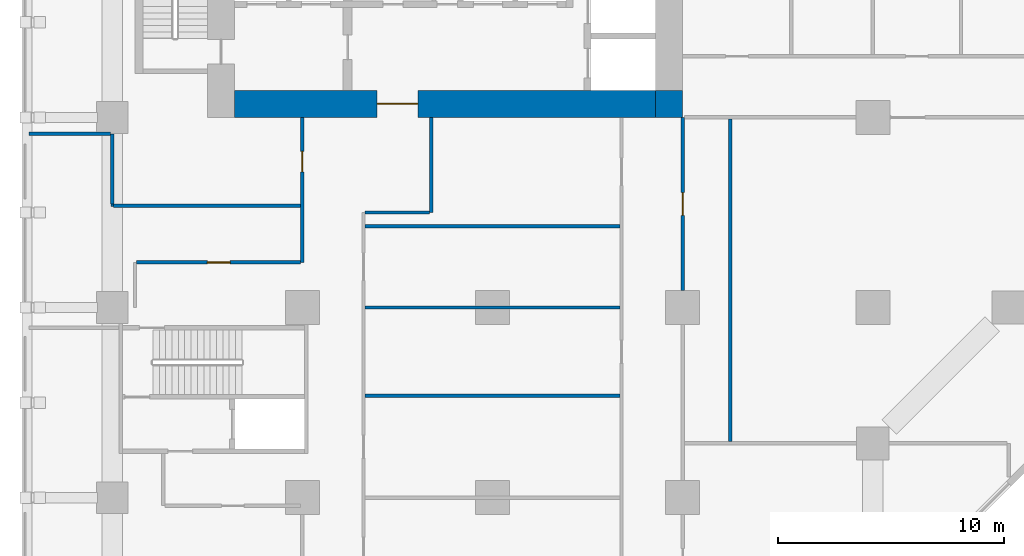
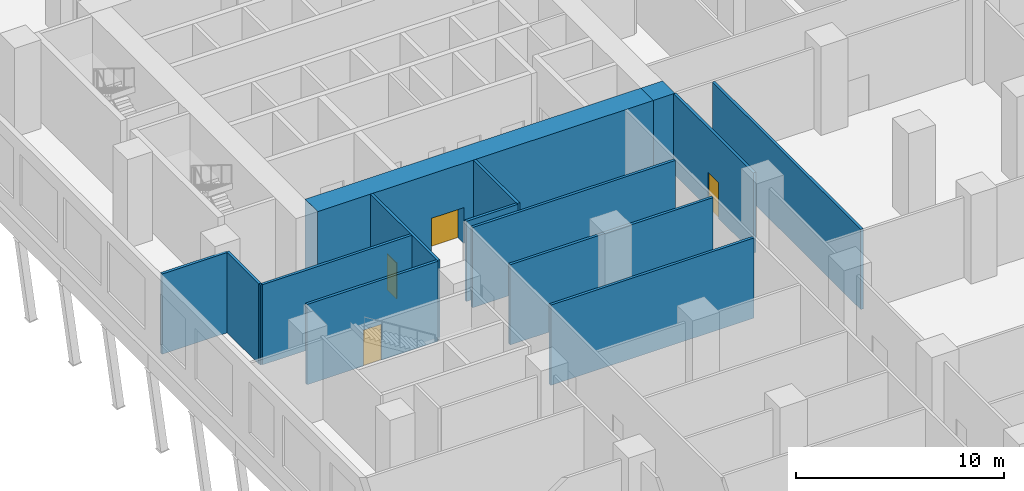
# One storey, part 8 of 25: 15 walls, 4 doors, 4 openings.
"""IFC4 building model written with IfcOpenShell, lengths in metres."""

import ifcopenshell
import ifcopenshell.guid

model = None  # the IFC model being written
_history = None  # IfcOwnerHistory: only IFC2X3 demands one
_inside = {}  # id of a spatial element -> (the spatial element, [elements in it])
_under = {}  # id of a project, library or spatial element -> (it, [spatial elements below it])
_declared = {}  # id of a project -> (the project, [libraries it declares])
_typed = {}  # id of a type object -> (the type object, [elements of that type])
_made_of = {}  # id of a material, layer set ... -> (it, [elements and type objects made of it])


def new_model(schema):
    """Start an empty IFC model of exactly this schema.

    Asked for "IFC4X3", IfcOpenShell would pick the latest addendum, in which some entities
    have other attributes; the version numbers below select the first issue.
    IFC2X3 requires an IfcOwnerHistory on every rooted entity: one is made here for all.
    """
    global model, _history
    if schema == "IFC4X3":
        model = ifcopenshell.file(schema_version=(4, 3, 0, 0))
    else:
        model = ifcopenshell.file(schema=schema)
    _inside.clear()
    _under.clear()
    _declared.clear()
    _typed.clear()
    _made_of.clear()
    _history = None
    if model.schema == "IFC2X3":
        org = make("IfcOrganization", Name="unknown")
        user = make(
            "IfcPersonAndOrganization",
            ThePerson=make("IfcPerson", FamilyName="unknown"),
            TheOrganization=org,
        )
        app = make(
            "IfcApplication",
            ApplicationDeveloper=org,
            Version="unknown",
            ApplicationFullName="unknown",
            ApplicationIdentifier="unknown",
        )
        _history = make(
            "IfcOwnerHistory",
            OwningUser=user,
            OwningApplication=app,
            ChangeAction="ADDED",
            CreationDate=0,
        )
    return model


def make(cls, **values):
    """One entity of the class cls with the attributes given. An attribute that is None is left unset."""
    return model.create_entity(
        cls, **{name: value for name, value in values.items() if value is not None}
    )


def rooted(cls, **values):
    """An entity with a GlobalId (a new one), such as an element, a storey or a relation."""
    return make(cls, GlobalId=ifcopenshell.guid.new(), OwnerHistory=_history, **values)


def si_unit(unit_type, name, prefix=None):
    """IfcSIUnit, for example si_unit("LENGTHUNIT", "METRE", prefix="MILLI")."""
    return make("IfcSIUnit", UnitType=unit_type, Prefix=prefix, Name=name)


def assignment(units):
    """IfcUnitAssignment: the units of a project."""
    return None if units is None else make("IfcUnitAssignment", Units=units)


def point(xyz):
    """IfcCartesianPoint."""
    return None if xyz is None else make("IfcCartesianPoint", Coordinates=xyz)


def direction(xyz):
    """IfcDirection."""
    return None if xyz is None else make("IfcDirection", DirectionRatios=xyz)


def frame(location, z_axis=None, x_axis=None):
    """IfcAxis2Placement3D, a coordinate frame: its origin and axes. An axis left out is left unset."""
    return make(
        "IfcAxis2Placement3D",
        Location=point(location),
        Axis=direction(z_axis),
        RefDirection=direction(x_axis),
    )


def frame_2d(location, x_axis=None):
    """IfcAxis2Placement2D, a coordinate frame in the plane: its origin and x axis."""
    return make(
        "IfcAxis2Placement2D", Location=point(location), RefDirection=direction(x_axis)
    )


def origin():
    """The frame at (0, 0, 0) with its axes left unset."""
    return frame((0.0, 0.0, 0.0))


def place(relative_to, where):
    """IfcLocalPlacement: puts the frame where relative to a parent placement (None: the world)."""
    return make(
        "IfcLocalPlacement", PlacementRelTo=relative_to, RelativePlacement=where
    )


def context(
    kind, dimensions, precision=None, world=None, true_north=None, identifier=None
):
    """IfcGeometricRepresentationContext, for example the 3D "Model" context."""
    return make(
        "IfcGeometricRepresentationContext",
        ContextIdentifier=identifier,
        ContextType=kind,
        CoordinateSpaceDimension=dimensions,
        Precision=precision,
        WorldCoordinateSystem=world,
        TrueNorth=true_north,
    )


def subcontext(parent, identifier, kind, view, scale=None):
    """IfcGeometricRepresentationSubContext, for example "Body" below "Model"."""
    return make(
        "IfcGeometricRepresentationSubContext",
        ContextIdentifier=identifier,
        ContextType=kind,
        ParentContext=parent,
        TargetScale=scale,
        TargetView=view,
    )


def project(units=None, contexts=None):
    """IfcProject with its units and contexts."""
    return rooted(
        "IfcProject",
        Name="project",
        RepresentationContexts=contexts,
        UnitsInContext=assignment(units),
    )


def spatial(cls, under=None, at=None, **own):
    """A site, building, storey or space (cls), placed at a placement, below another one or the project."""
    s = rooted(cls, ObjectPlacement=at, **own)
    if under is not None:
        _under.setdefault(under.id(), (under, []))[1].append(s)
    return s


def profile(cls, at=None, kind="AREA", **sizes):
    """A parametric profile (cls). Its sizes go by their IFC names, for example OverallWidth=200.0."""
    return make(cls, ProfileType=kind, Position=at, **sizes)


def rectangle(**sizes):
    """IfcRectangleProfileDef."""
    return profile("IfcRectangleProfileDef", **sizes)


def extrude(swept, where, along, depth):
    """IfcExtrudedAreaSolid: the profile swept, set in the frame where, extruded along a direction by depth."""
    return make(
        "IfcExtrudedAreaSolid",
        SweptArea=swept,
        Position=where,
        ExtrudedDirection=direction(along),
        Depth=depth,
    )


def shape(context_of_items, identifier, shape_type, items):
    """IfcShapeRepresentation: the items that make up one representation, for example the "Body"."""
    return make(
        "IfcShapeRepresentation",
        ContextOfItems=context_of_items,
        RepresentationIdentifier=identifier,
        RepresentationType=shape_type,
        Items=items,
    )


def material(Name=None, Category=None):
    """IfcMaterial."""
    return make("IfcMaterial", Name=Name, Category=Category)


def layer(
    of_material, thickness, ventilated=None, Name=None, Category=None, Priority=None
):
    """IfcMaterialLayer: one layer of a wall or slab, of a material (None: an air gap)."""
    return make(
        "IfcMaterialLayer",
        Material=of_material,
        LayerThickness=thickness,
        IsVentilated=ventilated,
        Name=Name,
        Category=Category,
        Priority=Priority,
    )


def layer_set(layers, Name=None):
    """IfcMaterialLayerSet."""
    return make("IfcMaterialLayerSet", MaterialLayers=layers, LayerSetName=Name)


def made_of(thing, what):
    """Note that an element or type object is made of a material, layer set ...; save() writes the relation."""
    if what is not None:
        _made_of.setdefault(what.id(), (what, []))[1].append(thing)
    return thing


def type_object(cls, material=None, **own):
    """A type object (cls), such as IfcWallType, which elements share."""
    return made_of(rooted(cls, **own), material)


def element(
    cls,
    number,
    at=None,
    inside=None,
    cuts=None,
    type_object=None,
    material=None,
    context=None,
    identifier="Body",
    shape_type=None,
    held_by="IfcProductDefinitionShape",
    body=None,
    shapes=None,
    **own,
):
    """One element of the class cls, such as IfcWall. Its Tag is "e" and its number.

    at: its placement. inside: the storey or other place that contains it. cuts: it is an
    opening in that element (IfcRelVoidsElement). A single representation is given by context,
    identifier, shape_type and body (its items); several are given by shapes. held_by: the class
    of the entity that holds the representations. save() writes the other relations.
    """
    e = rooted(cls, Tag="e%d" % number, ObjectPlacement=at, **own)
    if body is not None:
        shapes = [shape(context, identifier, shape_type, body)]
    if shapes is not None:
        e.Representation = make(held_by, Representations=shapes)
    if inside is not None:
        _inside.setdefault(inside.id(), (inside, []))[1].append(e)
    if cuts is not None:
        rooted(
            "IfcRelVoidsElement", RelatingBuildingElement=cuts, RelatedOpeningElement=e
        )
    if type_object is not None:
        _typed.setdefault(type_object.id(), (type_object, []))[1].append(e)
    return made_of(e, material)


def fill(opening, filler):
    """IfcRelFillsElement: the door or window that sits in an opening."""
    return rooted(
        "IfcRelFillsElement",
        RelatingOpeningElement=opening,
        RelatedBuildingElement=filler,
    )


def aggregate(whole, parts):
    """IfcRelAggregates: a whole, such as a stair, and the parts it consists of."""
    return rooted("IfcRelAggregates", RelatingObject=whole, RelatedObjects=parts)


def save(model, path):
    """Write the relations noted so far, then the file.

    IfcRelAggregates (storeys below a building ...), IfcRelContainedInSpatialStructure (elements
    in a storey), IfcRelDefinesByType, IfcRelAssociatesMaterial and IfcRelDeclares: one each for
    every whole, place, type object, material and project.
    """
    for whole, parts in _under.values():
        aggregate(whole, parts)
    for where, things in _inside.values():
        rooted(
            "IfcRelContainedInSpatialStructure",
            RelatedElements=things,
            RelatingStructure=where,
        )
    for kind, things in _typed.values():
        rooted("IfcRelDefinesByType", RelatedObjects=things, RelatingType=kind)
    for what, things in _made_of.values():
        rooted("IfcRelAssociatesMaterial", RelatedObjects=things, RelatingMaterial=what)
    for by, libraries in _declared.values():
        rooted("IfcRelDeclares", RelatingContext=by, RelatedDefinitions=libraries)
    model.write(path)


model = new_model("IFC4")

# Units and contexts
model_context = context("Model", 3, precision=1e-05, world=origin(), true_north=direction((0.0, 1.0)))
body_context = subcontext(model_context, "Body", "Model", "MODEL_VIEW")
ifc_project = project(units=[si_unit("LENGTHUNIT", "METRE"), si_unit("AREAUNIT", "SQUARE_METRE"), si_unit("VOLUMEUNIT", "CUBIC_METRE"), si_unit("PLANEANGLEUNIT", "RADIAN"), si_unit("MASSUNIT", "GRAM", prefix="KILO")], contexts=[model_context])

# Site, building, storey
site_placement = place(None, origin())
site = spatial("IfcSite", under=ifc_project, at=site_placement, CompositionType="ELEMENT")
building_placement = place(site_placement, origin())
building = spatial("IfcBuilding", under=site, at=building_placement, Name="Kawkab Arch Medical Tower", CompositionType="ELEMENT")
storey_placement = place(building_placement, frame((0.0, 0.0, 29.0)))
storey = spatial("IfcBuildingStorey", under=building, at=storey_placement, Name="L06", CompositionType="ELEMENT", Elevation=29.0)

# Wall, opening, door
ifc_material_1 = material(Name="Concrete C60/75", Category="concrete")
ifc_layer_1 = layer(ifc_material_1, 1.199951171875)
ifc_layer_set_1 = layer_set([ifc_layer_1], Name="Concrete C60/75")
wall_type_1 = type_object("IfcWallType", Name="Core ring wall 1200 C60/75", PredefinedType="SHEAR", material=ifc_layer_set_1)
wall_1_placement = place(storey_placement, frame((5.39990234375, -24.60009765625, 0.0), z_axis=(0.0, 0.0, 1.0), x_axis=(1.0, 0.0, 0.0)))
wall_1 = element("IfcWall", 1, at=wall_1_placement, inside=storey, type_object=wall_type_1, Name="L06 core wall", PredefinedType="SHEAR", context=body_context, shape_type="SweptSolid", body=[
    extrude(rectangle(XDim=18.60009765625, YDim=1.199951171875, at=frame_2d((9.300048828125, 0.0))), origin(), (0.0, 0.0, 1.0), 4.699951171875),
])
opening_1_placement = place(wall_1_placement, frame((6.300048828125, 0.0, 0.0)))
opening_1 = element("IfcOpeningElement", 2, at=opening_1_placement, cuts=wall_1, Name="Opening PD", PredefinedType="OPENING", context=body_context, shape_type="SweptSolid", body=[
    extrude(rectangle(XDim=1.800048828125, YDim=2.10009765625, at=frame_2d((0.89990234375, 1.050048828125))), frame((0.0, 0.60986328125, 0.0), z_axis=(0.0, -1.0, 0.0), x_axis=(1.0, 0.0, 0.0)), (0.0, 0.0, 1.0), 1.219970703125),
])
ifc_material_2 = material(Name="Hollow metal fire door leaf")
door_type_1 = type_object("IfcDoorType", Name="Core entrance doors 1800", OperationType="DOUBLE_DOOR_SINGLE_SWING", PredefinedType="DOOR", material=ifc_material_2)
door_1_placement = place(opening_1_placement, origin())
door_1 = element("IfcDoor", 3, at=door_1_placement, inside=storey, type_object=door_type_1, Name="L06 South entrance doors", OperationType="DOUBLE_DOOR_SINGLE_SWING", OverallHeight=2.10009765625, OverallWidth=1.800048828125, PredefinedType="DOOR", context=body_context, shape_type="SweptSolid", body=[
    extrude(rectangle(XDim=1.800048828125, YDim=2.10009765625, at=frame_2d((0.89990234375, 1.050048828125))), frame((0.0, 0.02490234375, 0.0), z_axis=(0.0, -1.0, 0.0), x_axis=(1.0, 0.0, 0.0)), (0.0, 0.0, 1.0), 0.050048828125),
])
fill(opening_1, door_1)

# Walls
wall_2_placement = place(storey_placement, frame((24.60009765625, -25.199951171875, 0.0), z_axis=(0.0, 0.0, 1.0), x_axis=(0.0, 1.0, 0.0)))
element("IfcWall", 4, at=wall_2_placement, inside=storey, type_object=wall_type_1, Name="L06 core wall", PredefinedType="SHEAR", context=body_context, shape_type="SweptSolid", body=[
    extrude(rectangle(XDim=1.199951171875, YDim=1.199951171875, at=frame_2d((0.60009765625, 0.0))), origin(), (0.0, 0.0, 1.0), 4.699951171875),
])
ifc_material_3 = material(Name="Gypsum board partition on steel studs", Category="steel")
ifc_layer_2 = layer(ifc_material_3, 0.10009765625)
ifc_layer_set_2 = layer_set([ifc_layer_2], Name="Gypsum board partition on steel studs")
wall_type_2 = type_object("IfcWallType", Name="Partition 100", PredefinedType="PARTITIONING", material=ifc_layer_set_2)
wall_3_placement = place(storey_placement, frame((0.0, -29.139892578125, 0.0), z_axis=(0.0, 0.0, 1.0), x_axis=(0.0, 1.0, 0.0)))
element("IfcWall", 5, at=wall_3_placement, inside=storey, type_object=wall_type_2, Name="Partition 100 w001", PredefinedType="PARTITIONING", context=body_context, shape_type="SweptSolid", body=[
    extrude(rectangle(XDim=0.119873046875, YDim=0.10009765625, at=frame_2d((0.06005859375, 0.0))), origin(), (0.0, 0.0, 1.0), 4.699951171875),
])
ifc_material_4 = material(Name="Gypsum board partition on steel studs, mineral wool", Category="steel")
ifc_layer_3 = layer(ifc_material_4, 0.14990234375)
ifc_layer_set_3 = layer_set([ifc_layer_3], Name="Gypsum board partition on steel studs, mineral wool")
wall_type_3 = type_object("IfcWallType", Name="Partition 150", PredefinedType="PARTITIONING", material=ifc_layer_set_3)
for number, where, z_axis, x_axis, name in (
    (6, (11.175048828125, -37.5, 0.0), (0.0, 0.0, 1.0), (1.0, 0.0, 0.0), "Partition 150 w035"),
    (7, (11.175048828125, -33.60009765625, 0.0), (0.0, 0.0, 1.0), (1.0, 0.0, 0.0), "Partition 150 w037"),
):
    element("IfcWall", number, at=place(storey_placement, frame(where, z_axis=z_axis, x_axis=x_axis)), inside=storey, type_object=wall_type_3, Name=name, PredefinedType="PARTITIONING", context=body_context, shape_type="SweptSolid", body=[
        extrude(rectangle(XDim=11.25, YDim=0.14990234375, at=frame_2d((5.625, 0.0))), origin(), (0.0, 0.0, 1.0), 4.699951171875),
    ])

# Wall, opening, door
wall_4_placement = place(storey_placement, frame((1.076904296875, -31.60693359375, 0.0), z_axis=(0.0, 0.0, 1.0), x_axis=(1.0, 0.0, 0.0)))
wall_4 = element("IfcWall", 8, at=wall_4_placement, inside=storey, type_object=wall_type_3, Name="Partition 150 w038", PredefinedType="PARTITIONING", context=body_context, shape_type="SweptSolid", body=[
    extrude(rectangle(XDim=7.248046875, YDim=0.14990234375, at=frame_2d((3.6240234375, 0.0))), origin(), (0.0, 0.0, 1.0), 4.699951171875),
])
opening_2_placement = place(wall_4_placement, frame((3.1240234375, 0.0, 0.0)))
opening_2 = element("IfcOpeningElement", 9, at=opening_2_placement, cuts=wall_4, Name="Opening P06-045", PredefinedType="OPENING", context=body_context, shape_type="SweptSolid", body=[
    extrude(rectangle(XDim=1.0, YDim=2.10009765625, at=frame_2d((0.5, 1.050048828125))), frame((0.0, 0.0849609375, 0.0), z_axis=(0.0, -1.0, 0.0), x_axis=(1.0, 0.0, 0.0)), (0.0, 0.0, 1.0), 0.169921875),
])
ifc_material_5 = material(Name="Hollow metal door leaf")
door_type_2 = type_object("IfcDoorType", Name="Single door 1000x2100 FD30S", OperationType="NOTDEFINED", PredefinedType="DOOR", material=ifc_material_5)
door_2_placement = place(opening_2_placement, origin())
door_2 = element("IfcDoor", 10, at=door_2_placement, inside=storey, type_object=door_type_2, Name="Door P06-045", OperationType="SINGLE_SWING_LEFT", OverallHeight=2.10009765625, OverallWidth=1.0, PredefinedType="DOOR", context=body_context, shape_type="SweptSolid", body=[
    extrude(rectangle(XDim=1.0, YDim=2.10009765625, at=frame_2d((0.5, 1.050048828125))), frame((0.0, 0.02490234375, 0.0), z_axis=(0.0, -1.0, 0.0), x_axis=(1.0, 0.0, 0.0)), (0.0, 0.0, 1.0), 0.050048828125),
])
fill(opening_2, door_2)

# Walls
wall_5_placement = place(storey_placement, frame((11.175048828125, -30.0, 0.0), z_axis=(0.0, 0.0, 1.0), x_axis=(1.0, 0.0, 0.0)))
element("IfcWall", 11, at=wall_5_placement, inside=storey, type_object=wall_type_3, Name="Partition 150 w039", PredefinedType="PARTITIONING", context=body_context, shape_type="SweptSolid", body=[
    extrude(rectangle(XDim=11.25, YDim=0.14990234375, at=frame_2d((5.625, 0.0))), origin(), (0.0, 0.0, 1.0), 4.699951171875),
])
wall_6_placement = place(storey_placement, frame((11.175048828125, -29.39990234375, 0.0), z_axis=(0.0, 0.0, 1.0), x_axis=(1.0, 0.0, 0.0)))
element("IfcWall", 12, at=wall_6_placement, inside=storey, type_object=wall_type_3, Name="Partition 150 w040", PredefinedType="PARTITIONING", context=body_context, shape_type="SweptSolid", body=[
    extrude(rectangle(XDim=2.849853515625, YDim=0.14990234375, at=frame_2d((1.4248046875, 0.0))), origin(), (0.0, 0.0, 1.0), 4.699951171875),
])
wall_7_placement = place(storey_placement, frame((0.052001953125, -29.10009765625, 0.0), z_axis=(0.0, 0.0, 1.0), x_axis=(1.0, 0.0, 0.0)))
element("IfcWall", 13, at=wall_7_placement, inside=storey, type_object=wall_type_3, Name="Partition 150 w041", PredefinedType="PARTITIONING", context=body_context, shape_type="SweptSolid", body=[
    extrude(rectangle(XDim=8.27294921875, YDim=0.14990234375, at=frame_2d((4.136474609375, 0.0))), origin(), (0.0, 0.0, 1.0), 4.699951171875),
])
wall_8_placement = place(storey_placement, frame((-3.679931640625, -25.919921875, 0.0), z_axis=(0.0, 0.0, 1.0), x_axis=(1.0, 0.0, 0.0)))
element("IfcWall", 14, at=wall_8_placement, inside=storey, type_object=wall_type_3, Name="Partition 150 w042", PredefinedType="PARTITIONING", context=body_context, shape_type="SweptSolid", body=[
    extrude(rectangle(XDim=3.60400390625, YDim=0.14990234375, at=frame_2d((1.802001953125, 0.0))), origin(), (0.0, 0.0, 1.0), 4.699951171875),
])
wall_9_placement = place(storey_placement, frame((0.0, -29.02490234375, 0.0), z_axis=(0.0, 0.0, 1.0), x_axis=(0.0, 1.0, 0.0)))
element("IfcWall", 15, at=wall_9_placement, inside=storey, type_object=wall_type_3, Name="Partition 150 w058", PredefinedType="PARTITIONING", context=body_context, shape_type="SweptSolid", body=[
    extrude(rectangle(XDim=3.10400390625, YDim=0.14990234375, at=frame_2d((1.552001953125, 0.0))), origin(), (0.0, 0.0, 1.0), 4.699951171875),
])

# Wall, opening, door
wall_10_placement = place(storey_placement, frame((8.39990234375, -31.60693359375, 0.0), z_axis=(0.0, 0.0, 1.0), x_axis=(0.0, 1.0, 0.0)))
wall_10 = element("IfcWall", 16, at=wall_10_placement, inside=storey, type_object=wall_type_3, Name="Partition 150 w063", PredefinedType="PARTITIONING", context=body_context, shape_type="SweptSolid", body=[
    extrude(rectangle(XDim=6.406982421875, YDim=0.14990234375, at=frame_2d((3.20361328125, 0.0))), origin(), (0.0, 0.0, 1.0), 4.699951171875),
])
opening_3_placement = place(wall_10_placement, frame((4.007080078125, 0.0, 0.0)))
opening_3 = element("IfcOpeningElement", 17, at=opening_3_placement, cuts=wall_10, Name="Opening P06-017", PredefinedType="OPENING", context=body_context, shape_type="SweptSolid", body=[
    extrude(rectangle(XDim=0.89990234375, YDim=2.10009765625, at=frame_2d((0.449951171875, 1.050048828125))), frame((0.0, 0.0849609375, 0.0), z_axis=(0.0, -1.0, 0.0), x_axis=(1.0, 0.0, 0.0)), (0.0, 0.0, 1.0), 0.169921875),
])
ifc_material_6 = material(Name="Timber door leaf", Category="wood")
door_type_3 = type_object("IfcDoorType", Name="Single door 900x2100", OperationType="NOTDEFINED", PredefinedType="DOOR", material=ifc_material_6)
door_3_placement = place(opening_3_placement, origin())
door_3 = element("IfcDoor", 18, at=door_3_placement, inside=storey, type_object=door_type_3, Name="Door P06-017", OperationType="SINGLE_SWING_RIGHT", OverallHeight=2.10009765625, OverallWidth=0.89990234375, PredefinedType="DOOR", context=body_context, shape_type="SweptSolid", body=[
    extrude(rectangle(XDim=0.89990234375, YDim=2.10009765625, at=frame_2d((0.449951171875, 1.050048828125))), frame((0.0, 0.02490234375, 0.0), z_axis=(0.0, -1.0, 0.0), x_axis=(1.0, 0.0, 0.0)), (0.0, 0.0, 1.0), 0.050048828125),
])
fill(opening_3, door_3)

# Wall
wall_11_placement = place(storey_placement, frame((14.10009765625, -29.39990234375, 0.0), z_axis=(0.0, 0.0, 1.0), x_axis=(0.0, 1.0, 0.0)))
element("IfcWall", 19, at=wall_11_placement, inside=storey, type_object=wall_type_3, Name="Partition 150 w066", PredefinedType="PARTITIONING", context=body_context, shape_type="SweptSolid", body=[
    extrude(rectangle(XDim=4.199951171875, YDim=0.14990234375, at=frame_2d((2.10009765625, 0.0))), origin(), (0.0, 0.0, 1.0), 4.699951171875),
])

# Wall, opening, door
wall_12_placement = place(storey_placement, frame((25.199951171875, -32.85009765625, 0.0), z_axis=(0.0, 0.0, 1.0), x_axis=(0.0, 1.0, 0.0)))
wall_12 = element("IfcWall", 20, at=wall_12_placement, inside=storey, type_object=wall_type_3, Name="Partition 150 w070", PredefinedType="PARTITIONING", context=body_context, shape_type="SweptSolid", body=[
    extrude(rectangle(XDim=7.650146484375, YDim=0.14990234375, at=frame_2d((3.8251953125, 0.0))), origin(), (0.0, 0.0, 1.0), 4.699951171875),
])
opening_4_placement = place(wall_12_placement, frame((3.324951171875, 0.0, 0.0)))
opening_4 = element("IfcOpeningElement", 21, at=opening_4_placement, cuts=wall_12, Name="Opening P06-019", PredefinedType="OPENING", context=body_context, shape_type="SweptSolid", body=[
    extrude(rectangle(XDim=1.0, YDim=2.10009765625, at=frame_2d((0.5, 1.050048828125))), frame((0.0, 0.0849609375, 0.0), z_axis=(0.0, -1.0, 0.0), x_axis=(1.0, 0.0, 0.0)), (0.0, 0.0, 1.0), 0.169921875),
])
ifc_material_7 = material(Name="Timber door leaf", Category="wood")
door_type_4 = type_object("IfcDoorType", Name="Single door 1000x2100", OperationType="NOTDEFINED", PredefinedType="DOOR", material=ifc_material_7)
door_4_placement = place(opening_4_placement, origin())
door_4 = element("IfcDoor", 22, at=door_4_placement, inside=storey, type_object=door_type_4, Name="Door P06-019", OperationType="SINGLE_SWING_LEFT", OverallHeight=2.10009765625, OverallWidth=1.0, PredefinedType="DOOR", context=body_context, shape_type="SweptSolid", body=[
    extrude(rectangle(XDim=1.0, YDim=2.10009765625, at=frame_2d((0.5, 1.050048828125))), frame((0.0, 0.02490234375, 0.0), z_axis=(0.0, -1.0, 0.0), x_axis=(1.0, 0.0, 0.0)), (0.0, 0.0, 1.0), 0.050048828125),
])
fill(opening_4, door_4)

# Wall
wall_13_placement = place(storey_placement, frame((27.300048828125, -39.52490234375, 0.0), z_axis=(0.0, 0.0, 1.0), x_axis=(0.0, 1.0, 0.0)))
element("IfcWall", 23, at=wall_13_placement, inside=storey, type_object=wall_type_3, Name="Partition 150 w071", PredefinedType="PARTITIONING", context=body_context, shape_type="SweptSolid", body=[
    extrude(rectangle(XDim=14.25, YDim=0.14990234375, at=frame_2d((7.125, 0.0))), origin(), (0.0, 0.0, 1.0), 4.699951171875),
])

save(model, "model.ifc")
